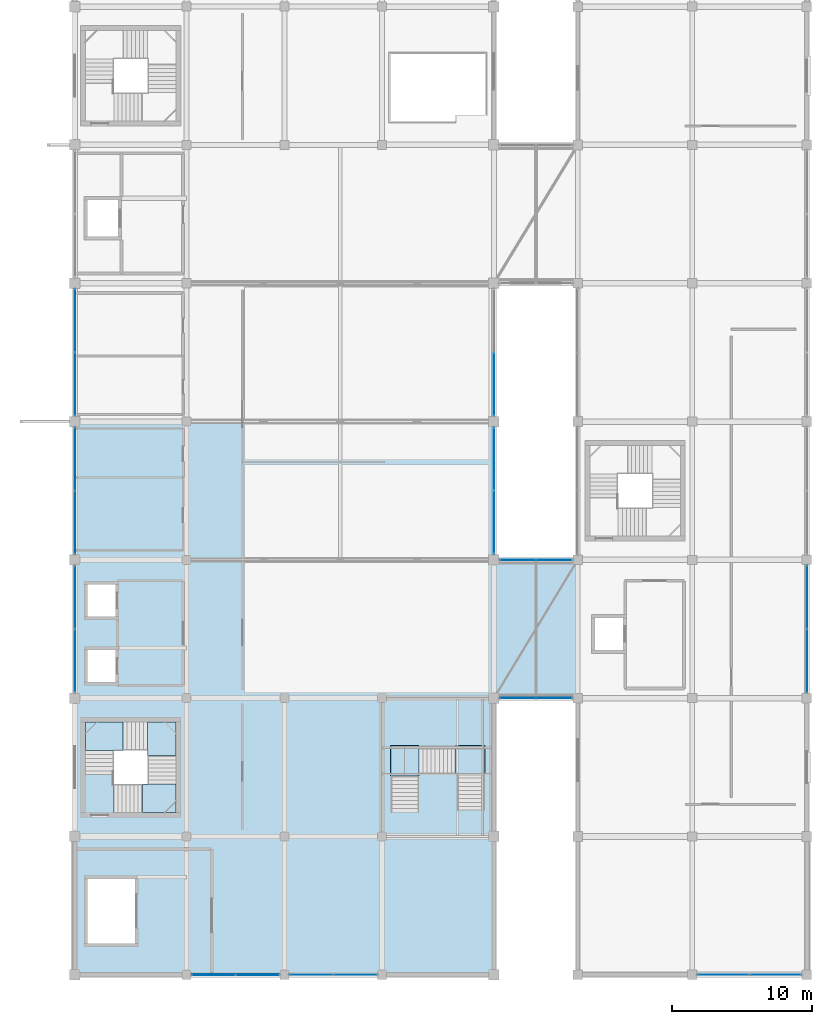
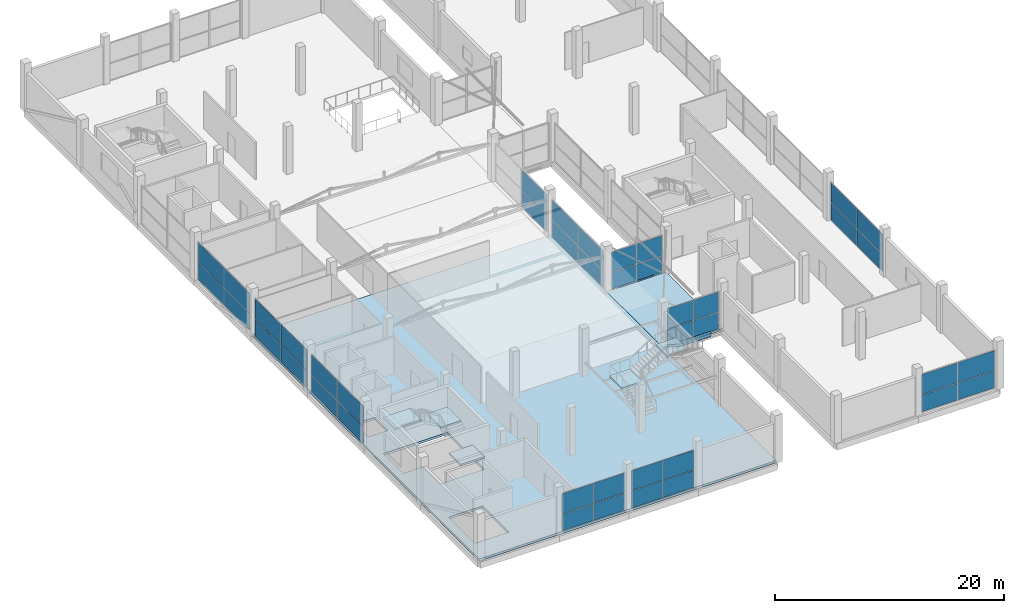
# One storey, part 49 of 67: 44 plates, 7 slabs, 13 elements without a shape of their own.
"""IFC4 building model written with IfcOpenShell, lengths in metres."""

from ifc_helpers import new_model, si_unit, direction, frame, origin, origin_2d, place, context, subcontext, project, spatial, polyline, rectangle, outline, extrude, material, layer, layer_set, type_object, element, aggregate, save


model = new_model("IFC4")

# Units and contexts
model_context = context("Model", 3, precision=1e-05, world=origin(), true_north=direction((0.0, 1.0)))
body_context = subcontext(model_context, "Body", "Model", "MODEL_VIEW")
ifc_project = project(units=[si_unit("LENGTHUNIT", "METRE"), si_unit("AREAUNIT", "SQUARE_METRE"), si_unit("VOLUMEUNIT", "CUBIC_METRE"), si_unit("PLANEANGLEUNIT", "RADIAN"), si_unit("MASSUNIT", "GRAM", prefix="KILO")], contexts=[model_context])

# Site, building, storey
site_placement = place(None, origin())
site = spatial("IfcSite", under=ifc_project, at=site_placement, CompositionType="ELEMENT")
building_placement = place(site_placement, origin())
building = spatial("IfcBuilding", under=site, at=building_placement, Name="Sillaruma Civic Art Gallery", CompositionType="ELEMENT")
storey_placement = place(building_placement, frame((0.0, 0.0, 46.919921875)))
storey = spatial("IfcBuildingStorey", under=building, at=storey_placement, Name="L09", CompositionType="ELEMENT", Elevation=46.919921875)

# Plates
ifc_material_1 = material(Name="Anodised Zinc-Aluminium Alloy", Category="aluminium")
ifc_layer_1 = layer(ifc_material_1, 0.044921875, Name="Anodised Zinc-Aluminium Alloy")
ifc_layer_set_1 = layer_set([ifc_layer_1], Name="Anodised Zinc-Aluminium Alloy")
plate_type_1 = type_object("IfcPlateType", Name="PLT-FAS-01", PredefinedType="USERDEFINED", material=ifc_layer_set_1)
for number, where, z_axis, x_axis, name in (
    (1, (95.0, 39.60009765625, -0.469970703125), (0.0, 0.0, 1.0), (1.0, 0.0, 0.0), "Sky-Bridge Fascia Cassette (BRG-S:L09:S)"),
    (2, (95.0, 49.5, -0.469970703125), (0.0, 0.0, 1.0), (1.0, 0.0, 0.0), "Sky-Bridge Fascia Cassette (BRG-S:L09:N)"),
):
    element("IfcPlate", number, at=place(storey_placement, frame(where, z_axis=z_axis, x_axis=x_axis)), inside=storey, type_object=plate_type_1, Name=name, ObjectType="FASCIA CASSETTE", PredefinedType="USERDEFINED", context=body_context, shape_type="SweptSolid", body=[
        extrude(rectangle(XDim=3.60009765625, YDim=0.044921875, at=origin_2d()), origin(), (0.0, 0.0, 1.0), 0.580078125),
    ])

# Curtain wall, plates
ifc_material_2 = material(Name="Thermally Broken Extruded Aluminium 6063-T6", Category="aluminium")
ifc_layer_2 = layer(ifc_material_2, 0.159912109375, Name="Thermally Broken Extruded Aluminium 6063-T6")
ifc_layer_set_2 = layer_set([ifc_layer_2], Name="Thermally Broken Extruded Aluminium 6063-T6")
curtain_wall_type_1 = type_object("IfcCurtainWallType", Name="CW-UNI-62", PredefinedType="NOTDEFINED", material=ifc_layer_set_2)
curtain_wall_1_placement = place(storey_placement, origin())
curtain_wall_1 = element("IfcCurtainWall", 3, at=curtain_wall_1_placement, inside=storey, type_object=curtain_wall_type_1, Name="Unitised Curtain Wall CW-62 (CW-L09-WBW-4)", PredefinedType="NOTDEFINED")
ifc_material_3 = material(Name="Low-E UV-Filtered Laminated Insulating Glass", Category="glass")
ifc_layer_3 = layer(ifc_material_3, 0.030029296875, Name="Low-E UV-Filtered Laminated Insulating Glass")
ifc_layer_set_3 = layer_set([ifc_layer_3], Name="Low-E UV-Filtered Laminated Insulating Glass")
plate_type_2 = type_object("IfcPlateType", Name="PNL-GLZ-30", PredefinedType="CURTAIN_PANEL", material=ifc_layer_set_3)
plate_1_placement = place(storey_placement, frame((62.0, 52.1787109375, 0.06005859375), z_axis=(0.0, 0.0, 1.0), x_axis=(0.0, 1.0, 0.0)))
plate_1 = element("IfcPlate", 4, at=plate_1_placement, type_object=plate_type_2, Name="CW-62 panel 1.1", PredefinedType="CURTAIN_PANEL", context=body_context, shape_type="SweptSolid", body=[
    extrude(rectangle(XDim=4.4775390625, YDim=0.030029296875, at=origin_2d()), origin(), (0.0, 0.0, 1.0), 1.7958984375),
])
plate_2_placement = place(storey_placement, frame((62.0, 52.1787109375, 1.916015625), z_axis=(0.0, 0.0, 1.0), x_axis=(0.0, 1.0, 0.0)))
plate_2 = element("IfcPlate", 5, at=plate_2_placement, type_object=plate_type_2, Name="CW-62 panel 1.2", PredefinedType="CURTAIN_PANEL", context=body_context, shape_type="SweptSolid", body=[
    extrude(rectangle(XDim=4.4775390625, YDim=0.030029296875, at=origin_2d()), origin(), (0.0, 0.0, 1.0), 2.1240234375),
])
plate_3_placement = place(storey_placement, frame((62.0, 56.72119140625, 0.06005859375), z_axis=(0.0, 0.0, 1.0), x_axis=(0.0, 1.0, 0.0)))
plate_3 = element("IfcPlate", 6, at=plate_3_placement, type_object=plate_type_2, Name="CW-62 panel 2.1", PredefinedType="CURTAIN_PANEL", context=body_context, shape_type="SweptSolid", body=[
    extrude(rectangle(XDim=4.4775390625, YDim=0.030029296875, at=origin_2d()), origin(), (0.0, 0.0, 1.0), 1.7958984375),
])
plate_4_placement = place(storey_placement, frame((62.0, 56.72119140625, 1.916015625), z_axis=(0.0, 0.0, 1.0), x_axis=(0.0, 1.0, 0.0)))
plate_4 = element("IfcPlate", 7, at=plate_4_placement, type_object=plate_type_2, Name="CW-62 panel 2.2", PredefinedType="CURTAIN_PANEL", context=body_context, shape_type="SweptSolid", body=[
    extrude(rectangle(XDim=4.4775390625, YDim=0.030029296875, at=origin_2d()), origin(), (0.0, 0.0, 1.0), 2.1240234375),
])
aggregate(curtain_wall_1, [plate_1, plate_2, plate_3, plate_4])

ifc_layer_4 = layer(ifc_material_2, 0.159912109375, Name="Thermally Broken Extruded Aluminium 6063-T6")
ifc_layer_set_4 = layer_set([ifc_layer_4], Name="Thermally Broken Extruded Aluminium 6063-T6")
curtain_wall_type_2 = type_object("IfcCurtainWallType", Name="CW-UNI-68", PredefinedType="NOTDEFINED", material=ifc_layer_set_4)
curtain_wall_2_placement = place(storey_placement, origin())
curtain_wall_2 = element("IfcCurtainWall", 8, at=curtain_wall_2_placement, inside=storey, type_object=curtain_wall_type_2, Name="Unitised Curtain Wall CW-68 (CW-L09-WBS-3)", PredefinedType="NOTDEFINED")
plate_5_placement = place(storey_placement, frame((78.9287109375, 19.800048828125, 0.06005859375), z_axis=(0.0, 0.0, 1.0), x_axis=(1.0, 0.0, 0.0)))
plate_5 = element("IfcPlate", 9, at=plate_5_placement, type_object=plate_type_2, Name="CW-68 panel 1.1", PredefinedType="CURTAIN_PANEL", context=body_context, shape_type="SweptSolid", body=[
    extrude(rectangle(XDim=3.077392578125, YDim=0.030029296875, at=origin_2d()), origin(), (0.0, 0.0, 1.0), 1.7958984375),
])
plate_6_placement = place(storey_placement, frame((78.9287109375, 19.800048828125, 1.916015625), z_axis=(0.0, 0.0, 1.0), x_axis=(1.0, 0.0, 0.0)))
plate_6 = element("IfcPlate", 10, at=plate_6_placement, type_object=plate_type_2, Name="CW-68 panel 1.2", PredefinedType="CURTAIN_PANEL", context=body_context, shape_type="SweptSolid", body=[
    extrude(rectangle(XDim=3.077392578125, YDim=0.030029296875, at=origin_2d()), origin(), (0.0, 0.0, 1.0), 2.1240234375),
])
plate_7_placement = place(storey_placement, frame((82.0712890625, 19.800048828125, 0.06005859375), z_axis=(0.0, 0.0, 1.0), x_axis=(1.0, 0.0, 0.0)))
plate_7 = element("IfcPlate", 11, at=plate_7_placement, type_object=plate_type_2, Name="CW-68 panel 2.1", PredefinedType="CURTAIN_PANEL", context=body_context, shape_type="SweptSolid", body=[
    extrude(rectangle(XDim=3.077392578125, YDim=0.030029296875, at=origin_2d()), origin(), (0.0, 0.0, 1.0), 1.7958984375),
])
plate_8_placement = place(storey_placement, frame((82.0712890625, 19.800048828125, 1.916015625), z_axis=(0.0, 0.0, 1.0), x_axis=(1.0, 0.0, 0.0)))
plate_8 = element("IfcPlate", 12, at=plate_8_placement, type_object=plate_type_2, Name="CW-68 panel 2.2", PredefinedType="CURTAIN_PANEL", context=body_context, shape_type="SweptSolid", body=[
    extrude(rectangle(XDim=3.077392578125, YDim=0.030029296875, at=origin_2d()), origin(), (0.0, 0.0, 1.0), 2.1240234375),
])
aggregate(curtain_wall_2, [plate_5, plate_6, plate_7, plate_8])

ifc_layer_5 = layer(ifc_material_2, 0.159912109375, Name="Thermally Broken Extruded Aluminium 6063-T6")
ifc_layer_set_5 = layer_set([ifc_layer_5], Name="Thermally Broken Extruded Aluminium 6063-T6")
curtain_wall_type_3 = type_object("IfcCurtainWallType", Name="CW-UNI-74", PredefinedType="NOTDEFINED", material=ifc_layer_set_5)
curtain_wall_3_placement = place(storey_placement, origin())
curtain_wall_3 = element("IfcCurtainWall", 13, at=curtain_wall_3_placement, inside=storey, type_object=curtain_wall_type_3, Name="Unitised Curtain Wall CW-74 (CW-L09-EBS-2)", PredefinedType="NOTDEFINED")
plate_9_placement = place(storey_placement, frame((108.422607421875, 19.800048828125, 0.06005859375), z_axis=(0.0, 0.0, 1.0), x_axis=(1.0, 0.0, 0.0)))
plate_9 = element("IfcPlate", 14, at=plate_9_placement, type_object=plate_type_2, Name="CW-74 panel 1.1", PredefinedType="CURTAIN_PANEL", context=body_context, shape_type="SweptSolid", body=[
    extrude(rectangle(XDim=3.6650390625, YDim=0.030029296875, at=origin_2d()), origin(), (0.0, 0.0, 1.0), 1.7958984375),
])
plate_10_placement = place(storey_placement, frame((108.422607421875, 19.800048828125, 1.916015625), z_axis=(0.0, 0.0, 1.0), x_axis=(1.0, 0.0, 0.0)))
plate_10 = element("IfcPlate", 15, at=plate_10_placement, type_object=plate_type_2, Name="CW-74 panel 1.2", PredefinedType="CURTAIN_PANEL", context=body_context, shape_type="SweptSolid", body=[
    extrude(rectangle(XDim=3.6650390625, YDim=0.030029296875, at=origin_2d()), origin(), (0.0, 0.0, 1.0), 2.1240234375),
])
plate_11_placement = place(storey_placement, frame((112.152587890625, 19.800048828125, 0.06005859375), z_axis=(0.0, 0.0, 1.0), x_axis=(1.0, 0.0, 0.0)))
plate_11 = element("IfcPlate", 16, at=plate_11_placement, type_object=plate_type_2, Name="CW-74 panel 2.1", PredefinedType="CURTAIN_PANEL", context=body_context, shape_type="SweptSolid", body=[
    extrude(rectangle(XDim=3.6650390625, YDim=0.030029296875, at=origin_2d()), origin(), (0.0, 0.0, 1.0), 1.7958984375),
])
plate_12_placement = place(storey_placement, frame((112.152587890625, 19.800048828125, 1.916015625), z_axis=(0.0, 0.0, 1.0), x_axis=(1.0, 0.0, 0.0)))
plate_12 = element("IfcPlate", 17, at=plate_12_placement, type_object=plate_type_2, Name="CW-74 panel 2.2", PredefinedType="CURTAIN_PANEL", context=body_context, shape_type="SweptSolid", body=[
    extrude(rectangle(XDim=3.6650390625, YDim=0.030029296875, at=origin_2d()), origin(), (0.0, 0.0, 1.0), 2.1240234375),
])
aggregate(curtain_wall_3, [plate_9, plate_10, plate_11, plate_12])

ifc_layer_6 = layer(ifc_material_2, 0.159912109375, Name="Thermally Broken Extruded Aluminium 6063-T6")
ifc_layer_set_6 = layer_set([ifc_layer_6], Name="Thermally Broken Extruded Aluminium 6063-T6")
curtain_wall_type_4 = type_object("IfcCurtainWallType", Name="CW-UNI-65", PredefinedType="NOTDEFINED", material=ifc_layer_set_6)
curtain_wall_4_placement = place(storey_placement, origin())
curtain_wall_4 = element("IfcCurtainWall", 18, at=curtain_wall_4_placement, inside=storey, type_object=curtain_wall_type_4, Name="Unitised Curtain Wall CW-65 (CW-L09-WBE-5)", PredefinedType="NOTDEFINED")
ifc_layer_7 = layer(ifc_material_3, 0.031982421875, Name="Low-E UV-Filtered Laminated Insulating Glass")
ifc_layer_set_7 = layer_set([ifc_layer_7], Name="Low-E UV-Filtered Laminated Insulating Glass")
plate_type_3 = type_object("IfcPlateType", Name="PNL-GLZ-32", PredefinedType="CURTAIN_PANEL", material=ifc_layer_set_7)
plate_13_placement = place(storey_placement, frame((92.0, 62.078857421875, 0.06494140625), z_axis=(0.0, 0.0, 1.0), x_axis=(0.0, 1.0, 0.0)))
plate_13 = element("IfcPlate", 19, at=plate_13_placement, type_object=plate_type_3, Name="CW-65 panel 1.1", PredefinedType="CURTAIN_PANEL", context=body_context, shape_type="SweptSolid", body=[
    extrude(rectangle(XDim=4.4775390625, YDim=0.031982421875, at=origin_2d()), origin(), (0.0, 0.0, 1.0), 1.78857421875),
])
plate_14_placement = place(storey_placement, frame((92.0, 62.078857421875, 1.91845703125), z_axis=(0.0, 0.0, 1.0), x_axis=(0.0, 1.0, 0.0)))
plate_14 = element("IfcPlate", 20, at=plate_14_placement, type_object=plate_type_3, Name="CW-65 panel 1.2", PredefinedType="CURTAIN_PANEL", context=body_context, shape_type="SweptSolid", body=[
    extrude(rectangle(XDim=4.4775390625, YDim=0.031982421875, at=origin_2d()), origin(), (0.0, 0.0, 1.0), 2.116455078125),
])
aggregate(curtain_wall_4, [plate_13, plate_14])

ifc_layer_8 = layer(ifc_material_2, 0.159912109375, Name="Thermally Broken Extruded Aluminium 6063-T6")
ifc_layer_set_8 = layer_set([ifc_layer_8], Name="Thermally Broken Extruded Aluminium 6063-T6")
curtain_wall_type_5 = type_object("IfcCurtainWallType", Name="CW-UNI-69", PredefinedType="NOTDEFINED", material=ifc_layer_set_8)
curtain_wall_5_placement = place(storey_placement, origin())
curtain_wall_5 = element("IfcCurtainWall", 21, at=curtain_wall_5_placement, inside=storey, type_object=curtain_wall_type_5, Name="Unitised Curtain Wall CW-69 (CW-L09-EBE-3)", PredefinedType="NOTDEFINED")
plate_15_placement = place(storey_placement, frame((114.39990234375, 42.266357421875, 0.06494140625), z_axis=(0.0, 0.0, 1.0), x_axis=(0.0, 1.0, 0.0)))
plate_15 = element("IfcPlate", 22, at=plate_15_placement, type_object=plate_type_3, Name="CW-69 panel 1.1", PredefinedType="CURTAIN_PANEL", context=body_context, shape_type="SweptSolid", body=[
    extrude(rectangle(XDim=4.50244140625, YDim=0.031982421875, at=origin_2d()), origin(), (0.0, 0.0, 1.0), 1.78857421875),
])
plate_16_placement = place(storey_placement, frame((114.39990234375, 42.266357421875, 1.91845703125), z_axis=(0.0, 0.0, 1.0), x_axis=(0.0, 1.0, 0.0)))
plate_16 = element("IfcPlate", 23, at=plate_16_placement, type_object=plate_type_3, Name="CW-69 panel 1.2", PredefinedType="CURTAIN_PANEL", context=body_context, shape_type="SweptSolid", body=[
    extrude(rectangle(XDim=4.50244140625, YDim=0.031982421875, at=origin_2d()), origin(), (0.0, 0.0, 1.0), 2.116455078125),
])
plate_17_placement = place(storey_placement, frame((114.39990234375, 46.833740234375, 0.06494140625), z_axis=(0.0, 0.0, 1.0), x_axis=(0.0, 1.0, 0.0)))
plate_17 = element("IfcPlate", 24, at=plate_17_placement, type_object=plate_type_3, Name="CW-69 panel 2.1", PredefinedType="CURTAIN_PANEL", context=body_context, shape_type="SweptSolid", body=[
    extrude(rectangle(XDim=4.50244140625, YDim=0.031982421875, at=origin_2d()), origin(), (0.0, 0.0, 1.0), 1.78857421875),
])
plate_18_placement = place(storey_placement, frame((114.39990234375, 46.833740234375, 1.91845703125), z_axis=(0.0, 0.0, 1.0), x_axis=(0.0, 1.0, 0.0)))
plate_18 = element("IfcPlate", 25, at=plate_18_placement, type_object=plate_type_3, Name="CW-69 panel 2.2", PredefinedType="CURTAIN_PANEL", context=body_context, shape_type="SweptSolid", body=[
    extrude(rectangle(XDim=4.50244140625, YDim=0.031982421875, at=origin_2d()), origin(), (0.0, 0.0, 1.0), 2.116455078125),
])
aggregate(curtain_wall_5, [plate_15, plate_16, plate_17, plate_18])

# Curtain wall, plate
ifc_layer_9 = layer(ifc_material_2, 0.159912109375, Name="Thermally Broken Extruded Aluminium 6063-T6")
ifc_layer_set_9 = layer_set([ifc_layer_9], Name="Thermally Broken Extruded Aluminium 6063-T6")
curtain_wall_type_6 = type_object("IfcCurtainWallType", Name="CW-UNI-75", PredefinedType="NOTDEFINED", material=ifc_layer_set_9)
curtain_wall_6_placement = place(storey_placement, origin())
curtain_wall_6 = element("IfcCurtainWall", 26, at=curtain_wall_6_placement, inside=storey, type_object=curtain_wall_type_6, Name="Unitised Curtain Wall CW-75 (CW-BRG-S-L09-S)", PredefinedType="NOTDEFINED")
plate_19_placement = place(storey_placement, frame((93.7099609375, 39.60009765625, 0.06494140625), z_axis=(0.0, 0.0, 1.0), x_axis=(1.0, 0.0, 0.0)))
plate_19 = element("IfcPlate", 27, at=plate_19_placement, type_object=plate_type_3, Name="CW-75 panel 1.1", PredefinedType="CURTAIN_PANEL", context=body_context, shape_type="SweptSolid", body=[
    extrude(rectangle(XDim=2.5400390625, YDim=0.031982421875, at=origin_2d()), origin(), (0.0, 0.0, 1.0), 1.78857421875),
])

curtain_wall_7_placement = place(storey_placement, origin())
curtain_wall_7 = element("IfcCurtainWall", 28, at=curtain_wall_7_placement, inside=storey, type_object=curtain_wall_type_6, Name="Unitised Curtain Wall CW-75 (CW-BRG-S-L09-N)", PredefinedType="NOTDEFINED")
plate_20_placement = place(storey_placement, frame((93.7099609375, 49.5, 0.06494140625), z_axis=(0.0, 0.0, 1.0), x_axis=(1.0, 0.0, 0.0)))
plate_20 = element("IfcPlate", 29, at=plate_20_placement, type_object=plate_type_3, Name="CW-75 panel 1.1", PredefinedType="CURTAIN_PANEL", context=body_context, shape_type="SweptSolid", body=[
    extrude(rectangle(XDim=2.5400390625, YDim=0.031982421875, at=origin_2d()), origin(), (0.0, 0.0, 1.0), 1.78857421875),
])

# Curtain wall, plates
ifc_layer_10 = layer(ifc_material_2, 0.139892578125, Name="Thermally Broken Extruded Aluminium 6063-T6")
ifc_layer_set_10 = layer_set([ifc_layer_10], Name="Thermally Broken Extruded Aluminium 6063-T6")
curtain_wall_type_7 = type_object("IfcCurtainWallType", Name="CW-UNI-64", PredefinedType="NOTDEFINED", material=ifc_layer_set_10)
curtain_wall_8_placement = place(storey_placement, origin())
curtain_wall_8 = element("IfcCurtainWall", 30, at=curtain_wall_8_placement, inside=storey, type_object=curtain_wall_type_7, Name="Unitised Curtain Wall CW-64 (CW-L09-WBW-5)", PredefinedType="NOTDEFINED")
ifc_layer_11 = layer(ifc_material_3, 0.033935546875, Name="Low-E UV-Filtered Laminated Insulating Glass")
ifc_layer_set_11 = layer_set([ifc_layer_11], Name="Low-E UV-Filtered Laminated Insulating Glass")
plate_type_4 = type_object("IfcPlateType", Name="PNL-GLZ-34", PredefinedType="CURTAIN_PANEL", material=ifc_layer_set_11)
plate_21_placement = place(storey_placement, frame((62.0, 62.077392578125, 0.06494140625), z_axis=(0.0, 0.0, 1.0), x_axis=(0.0, 1.0, 0.0)))
plate_21 = element("IfcPlate", 31, at=plate_21_placement, type_object=plate_type_4, Name="CW-64 panel 1.1", PredefinedType="CURTAIN_PANEL", context=body_context, shape_type="SweptSolid", body=[
    extrude(rectangle(XDim=4.485107421875, YDim=0.033935546875, at=origin_2d()), origin(), (0.0, 0.0, 1.0), 1.78857421875),
])
plate_22_placement = place(storey_placement, frame((62.0, 62.077392578125, 1.91845703125), z_axis=(0.0, 0.0, 1.0), x_axis=(0.0, 1.0, 0.0)))
plate_22 = element("IfcPlate", 32, at=plate_22_placement, type_object=plate_type_4, Name="CW-64 panel 1.2", PredefinedType="CURTAIN_PANEL", context=body_context, shape_type="SweptSolid", body=[
    extrude(rectangle(XDim=4.485107421875, YDim=0.033935546875, at=origin_2d()), origin(), (0.0, 0.0, 1.0), 2.116455078125),
])
plate_23_placement = place(storey_placement, frame((62.0, 66.62255859375, 0.06494140625), z_axis=(0.0, 0.0, 1.0), x_axis=(0.0, 1.0, 0.0)))
plate_23 = element("IfcPlate", 33, at=plate_23_placement, type_object=plate_type_4, Name="CW-64 panel 2.1", PredefinedType="CURTAIN_PANEL", context=body_context, shape_type="SweptSolid", body=[
    extrude(rectangle(XDim=4.485107421875, YDim=0.033935546875, at=origin_2d()), origin(), (0.0, 0.0, 1.0), 1.78857421875),
])
plate_24_placement = place(storey_placement, frame((62.0, 66.62255859375, 1.91845703125), z_axis=(0.0, 0.0, 1.0), x_axis=(0.0, 1.0, 0.0)))
plate_24 = element("IfcPlate", 34, at=plate_24_placement, type_object=plate_type_4, Name="CW-64 panel 2.2", PredefinedType="CURTAIN_PANEL", context=body_context, shape_type="SweptSolid", body=[
    extrude(rectangle(XDim=4.485107421875, YDim=0.033935546875, at=origin_2d()), origin(), (0.0, 0.0, 1.0), 2.116455078125),
])
aggregate(curtain_wall_8, [plate_21, plate_22, plate_23, plate_24])

ifc_layer_12 = layer(ifc_material_2, 0.179931640625, Name="Thermally Broken Extruded Aluminium 6063-T6")
ifc_layer_set_12 = layer_set([ifc_layer_12], Name="Thermally Broken Extruded Aluminium 6063-T6")
curtain_wall_type_8 = type_object("IfcCurtainWallType", Name="CW-UNI-63", PredefinedType="NOTDEFINED", material=ifc_layer_set_12)
curtain_wall_9_placement = place(storey_placement, origin())
curtain_wall_9 = element("IfcCurtainWall", 35, at=curtain_wall_9_placement, inside=storey, type_object=curtain_wall_type_8, Name="Unitised Curtain Wall CW-63 (CW-L09-WBE-4)", PredefinedType="NOTDEFINED")
ifc_layer_13 = layer(ifc_material_3, 0.035888671875, Name="Low-E UV-Filtered Laminated Insulating Glass")
ifc_layer_set_13 = layer_set([ifc_layer_13], Name="Low-E UV-Filtered Laminated Insulating Glass")
plate_type_5 = type_object("IfcPlateType", Name="PNL-GLZ-36", PredefinedType="CURTAIN_PANEL", material=ifc_layer_set_13)
plate_25_placement = place(storey_placement, frame((92.0, 52.179931640625, 0.0703125), z_axis=(0.0, 0.0, 1.0), x_axis=(0.0, 1.0, 0.0)))
plate_25 = element("IfcPlate", 36, at=plate_25_placement, type_object=plate_type_5, Name="CW-63 panel 1.1", PredefinedType="CURTAIN_PANEL", context=body_context, shape_type="SweptSolid", body=[
    extrude(rectangle(XDim=4.469970703125, YDim=0.035888671875, at=origin_2d()), origin(), (0.0, 0.0, 1.0), 1.781005859375),
])
plate_26_placement = place(storey_placement, frame((92.0, 52.179931640625, 1.921142578125), z_axis=(0.0, 0.0, 1.0), x_axis=(0.0, 1.0, 0.0)))
plate_26 = element("IfcPlate", 37, at=plate_26_placement, type_object=plate_type_5, Name="CW-63 panel 1.2", PredefinedType="CURTAIN_PANEL", context=body_context, shape_type="SweptSolid", body=[
    extrude(rectangle(XDim=4.469970703125, YDim=0.035888671875, at=origin_2d()), origin(), (0.0, 0.0, 1.0), 2.10888671875),
])
plate_27_placement = place(storey_placement, frame((92.0, 56.719970703125, 0.0703125), z_axis=(0.0, 0.0, 1.0), x_axis=(0.0, 1.0, 0.0)))
plate_27 = element("IfcPlate", 38, at=plate_27_placement, type_object=plate_type_5, Name="CW-63 panel 2.1", PredefinedType="CURTAIN_PANEL", context=body_context, shape_type="SweptSolid", body=[
    extrude(rectangle(XDim=4.469970703125, YDim=0.035888671875, at=origin_2d()), origin(), (0.0, 0.0, 1.0), 1.781005859375),
])
plate_28_placement = place(storey_placement, frame((92.0, 56.719970703125, 1.921142578125), z_axis=(0.0, 0.0, 1.0), x_axis=(0.0, 1.0, 0.0)))
plate_28 = element("IfcPlate", 39, at=plate_28_placement, type_object=plate_type_5, Name="CW-63 panel 2.2", PredefinedType="CURTAIN_PANEL", context=body_context, shape_type="SweptSolid", body=[
    extrude(rectangle(XDim=4.469970703125, YDim=0.035888671875, at=origin_2d()), origin(), (0.0, 0.0, 1.0), 2.10888671875),
])
aggregate(curtain_wall_9, [plate_25, plate_26, plate_27, plate_28])

ifc_layer_14 = layer(ifc_material_2, 0.179931640625, Name="Thermally Broken Extruded Aluminium 6063-T6")
ifc_layer_set_14 = layer_set([ifc_layer_14], Name="Thermally Broken Extruded Aluminium 6063-T6")
curtain_wall_type_9 = type_object("IfcCurtainWallType", Name="CW-UNI-61", PredefinedType="NOTDEFINED", material=ifc_layer_set_14)
curtain_wall_10_placement = place(storey_placement, origin())
curtain_wall_10 = element("IfcCurtainWall", 40, at=curtain_wall_10_placement, inside=storey, type_object=curtain_wall_type_9, Name="Unitised Curtain Wall CW-61 (CW-L09-WBW-3)", PredefinedType="NOTDEFINED")
ifc_layer_15 = layer(ifc_material_3, 0.0400390625, Name="Low-E UV-Filtered Laminated Insulating Glass")
ifc_layer_set_15 = layer_set([ifc_layer_15], Name="Low-E UV-Filtered Laminated Insulating Glass")
plate_type_6 = type_object("IfcPlateType", Name="PNL-GLZ-40", PredefinedType="CURTAIN_PANEL", material=ifc_layer_set_15)
plate_29_placement = place(storey_placement, frame((62.0, 42.280029296875, 0.06494140625), z_axis=(0.0, 0.0, 1.0), x_axis=(0.0, 1.0, 0.0)))
plate_29 = element("IfcPlate", 41, at=plate_29_placement, type_object=plate_type_6, Name="CW-61 panel 1.1", PredefinedType="CURTAIN_PANEL", context=body_context, shape_type="SweptSolid", body=[
    extrude(rectangle(XDim=4.469970703125, YDim=0.0400390625, at=origin_2d()), origin(), (0.0, 0.0, 1.0), 1.78857421875),
])
plate_30_placement = place(storey_placement, frame((62.0, 42.280029296875, 1.91845703125), z_axis=(0.0, 0.0, 1.0), x_axis=(0.0, 1.0, 0.0)))
plate_30 = element("IfcPlate", 42, at=plate_30_placement, type_object=plate_type_6, Name="CW-61 panel 1.2", PredefinedType="CURTAIN_PANEL", context=body_context, shape_type="SweptSolid", body=[
    extrude(rectangle(XDim=4.469970703125, YDim=0.0400390625, at=origin_2d()), origin(), (0.0, 0.0, 1.0), 2.116455078125),
])
plate_31_placement = place(storey_placement, frame((62.0, 46.820068359375, 0.06494140625), z_axis=(0.0, 0.0, 1.0), x_axis=(0.0, 1.0, 0.0)))
plate_31 = element("IfcPlate", 43, at=plate_31_placement, type_object=plate_type_6, Name="CW-61 panel 2.1", PredefinedType="CURTAIN_PANEL", context=body_context, shape_type="SweptSolid", body=[
    extrude(rectangle(XDim=4.469970703125, YDim=0.0400390625, at=origin_2d()), origin(), (0.0, 0.0, 1.0), 1.78857421875),
])
plate_32_placement = place(storey_placement, frame((62.0, 46.820068359375, 1.91845703125), z_axis=(0.0, 0.0, 1.0), x_axis=(0.0, 1.0, 0.0)))
plate_32 = element("IfcPlate", 44, at=plate_32_placement, type_object=plate_type_6, Name="CW-61 panel 2.2", PredefinedType="CURTAIN_PANEL", context=body_context, shape_type="SweptSolid", body=[
    extrude(rectangle(XDim=4.469970703125, YDim=0.0400390625, at=origin_2d()), origin(), (0.0, 0.0, 1.0), 2.116455078125),
])
aggregate(curtain_wall_10, [plate_29, plate_30, plate_31, plate_32])

ifc_layer_16 = layer(ifc_material_2, 0.179931640625, Name="Thermally Broken Extruded Aluminium 6063-T6")
ifc_layer_set_16 = layer_set([ifc_layer_16], Name="Thermally Broken Extruded Aluminium 6063-T6")
curtain_wall_type_10 = type_object("IfcCurtainWallType", Name="CW-UNI-67", PredefinedType="NOTDEFINED", material=ifc_layer_set_16)
curtain_wall_11_placement = place(storey_placement, origin())
curtain_wall_11 = element("IfcCurtainWall", 45, at=curtain_wall_11_placement, inside=storey, type_object=curtain_wall_type_10, Name="Unitised Curtain Wall CW-67 (CW-L09-WBS-2)", PredefinedType="NOTDEFINED")
plate_33_placement = place(storey_placement, frame((71.929931640625, 19.800048828125, 0.06494140625), z_axis=(0.0, 0.0, 1.0), x_axis=(1.0, 0.0, 0.0)))
plate_33 = element("IfcPlate", 46, at=plate_33_placement, type_object=plate_type_6, Name="CW-67 panel 1.1", PredefinedType="CURTAIN_PANEL", context=body_context, shape_type="SweptSolid", body=[
    extrude(rectangle(XDim=3.070068359375, YDim=0.0400390625, at=origin_2d()), origin(), (0.0, 0.0, 1.0), 1.78857421875),
])
plate_34_placement = place(storey_placement, frame((71.929931640625, 19.800048828125, 1.91845703125), z_axis=(0.0, 0.0, 1.0), x_axis=(1.0, 0.0, 0.0)))
plate_34 = element("IfcPlate", 47, at=plate_34_placement, type_object=plate_type_6, Name="CW-67 panel 1.2", PredefinedType="CURTAIN_PANEL", context=body_context, shape_type="SweptSolid", body=[
    extrude(rectangle(XDim=3.070068359375, YDim=0.0400390625, at=origin_2d()), origin(), (0.0, 0.0, 1.0), 2.116455078125),
])
plate_35_placement = place(storey_placement, frame((75.070068359375, 19.800048828125, 0.06494140625), z_axis=(0.0, 0.0, 1.0), x_axis=(1.0, 0.0, 0.0)))
plate_35 = element("IfcPlate", 48, at=plate_35_placement, type_object=plate_type_6, Name="CW-67 panel 2.1", PredefinedType="CURTAIN_PANEL", context=body_context, shape_type="SweptSolid", body=[
    extrude(rectangle(XDim=3.070068359375, YDim=0.0400390625, at=origin_2d()), origin(), (0.0, 0.0, 1.0), 1.78857421875),
])
plate_36_placement = place(storey_placement, frame((75.070068359375, 19.800048828125, 1.91845703125), z_axis=(0.0, 0.0, 1.0), x_axis=(1.0, 0.0, 0.0)))
plate_36 = element("IfcPlate", 49, at=plate_36_placement, type_object=plate_type_6, Name="CW-67 panel 2.2", PredefinedType="CURTAIN_PANEL", context=body_context, shape_type="SweptSolid", body=[
    extrude(rectangle(XDim=3.070068359375, YDim=0.0400390625, at=origin_2d()), origin(), (0.0, 0.0, 1.0), 2.116455078125),
])
aggregate(curtain_wall_11, [plate_33, plate_34, plate_35, plate_36])

# Plate
ifc_layer_17 = layer(ifc_material_1, 0.031982421875, Name="Anodised Zinc-Aluminium Alloy")
ifc_layer_set_17 = layer_set([ifc_layer_17], Name="Anodised Zinc-Aluminium Alloy")
plate_type_7 = type_object("IfcPlateType", Name="PNL-SPD-32", PredefinedType="CURTAIN_PANEL", material=ifc_layer_set_17)
plate_37_placement = place(storey_placement, frame((93.7099609375, 39.60009765625, 1.91845703125), z_axis=(0.0, 0.0, 1.0), x_axis=(1.0, 0.0, 0.0)))
plate_37 = element("IfcPlate", 50, at=plate_37_placement, type_object=plate_type_7, Name="CW-75 panel 1.2", PredefinedType="CURTAIN_PANEL", context=body_context, shape_type="SweptSolid", body=[
    extrude(rectangle(XDim=2.5400390625, YDim=0.031982421875, at=origin_2d()), origin(), (0.0, 0.0, 1.0), 2.116455078125),
])

plate_38_placement = place(storey_placement, frame((96.31494140625, 39.60009765625, 0.06494140625), z_axis=(0.0, 0.0, 1.0), x_axis=(1.0, 0.0, 0.0)))
plate_38 = element("IfcPlate", 51, at=plate_38_placement, type_object=plate_type_7, Name="CW-75 panel 2.1", PredefinedType="CURTAIN_PANEL", context=body_context, shape_type="SweptSolid", body=[
    extrude(rectangle(XDim=2.5400390625, YDim=0.031982421875, at=origin_2d()), origin(), (0.0, 0.0, 1.0), 1.78857421875),
])

plate_39_placement = place(storey_placement, frame((96.31494140625, 39.60009765625, 1.91845703125), z_axis=(0.0, 0.0, 1.0), x_axis=(1.0, 0.0, 0.0)))
plate_39 = element("IfcPlate", 52, at=plate_39_placement, type_object=plate_type_7, Name="CW-75 panel 2.2", PredefinedType="CURTAIN_PANEL", context=body_context, shape_type="SweptSolid", body=[
    extrude(rectangle(XDim=2.5400390625, YDim=0.031982421875, at=origin_2d()), origin(), (0.0, 0.0, 1.0), 2.116455078125),
])

aggregate(curtain_wall_6, [plate_19, plate_37, plate_38, plate_39])

plate_40_placement = place(storey_placement, frame((93.7099609375, 49.5, 1.91845703125), z_axis=(0.0, 0.0, 1.0), x_axis=(1.0, 0.0, 0.0)))
plate_40 = element("IfcPlate", 53, at=plate_40_placement, type_object=plate_type_7, Name="CW-75 panel 1.2", PredefinedType="CURTAIN_PANEL", context=body_context, shape_type="SweptSolid", body=[
    extrude(rectangle(XDim=2.5400390625, YDim=0.031982421875, at=origin_2d()), origin(), (0.0, 0.0, 1.0), 2.116455078125),
])

plate_41_placement = place(storey_placement, frame((96.31494140625, 49.5, 0.06494140625), z_axis=(0.0, 0.0, 1.0), x_axis=(1.0, 0.0, 0.0)))
plate_41 = element("IfcPlate", 54, at=plate_41_placement, type_object=plate_type_7, Name="CW-75 panel 2.1", PredefinedType="CURTAIN_PANEL", context=body_context, shape_type="SweptSolid", body=[
    extrude(rectangle(XDim=2.5400390625, YDim=0.031982421875, at=origin_2d()), origin(), (0.0, 0.0, 1.0), 1.78857421875),
])

plate_42_placement = place(storey_placement, frame((96.31494140625, 49.5, 1.91845703125), z_axis=(0.0, 0.0, 1.0), x_axis=(1.0, 0.0, 0.0)))
plate_42 = element("IfcPlate", 55, at=plate_42_placement, type_object=plate_type_7, Name="CW-75 panel 2.2", PredefinedType="CURTAIN_PANEL", context=body_context, shape_type="SweptSolid", body=[
    extrude(rectangle(XDim=2.5400390625, YDim=0.031982421875, at=origin_2d()), origin(), (0.0, 0.0, 1.0), 2.116455078125),
])

aggregate(curtain_wall_7, [plate_20, plate_40, plate_41, plate_42])

# Slabs
ifc_material_4 = material(Name="Concrete H35 (35 MPa)", Category="concrete")
ifc_layer_18 = layer(ifc_material_4, 0.2099609375, Name="Concrete H35 (35 MPa)")
ifc_layer_set_18 = layer_set([ifc_layer_18], Name="Concrete H35 (35 MPa)")
slab_type_1 = type_object("IfcSlabType", Name="SLB-FLR-210", PredefinedType="FLOOR", material=ifc_layer_set_18)
slab_1_placement = place(storey_placement, frame((0.0, 0.0, -0.2099609375)))
element("IfcSlab", 56, at=slab_1_placement, inside=storey, type_object=slab_type_1, Name="Floor Slab SF-210 (SLB-L09-BRGS)", PredefinedType="FLOOR", context=body_context, shape_type="SweptSolid", body=[
    extrude(outline(polyline([(92.0, 39.60009765625), (98.0, 39.60009765625), (98.0, 49.5), (92.0, 49.5), (92.0, 39.60009765625)])), origin(), (0.0, 0.0, 1.0), 0.2099609375),
])
ifc_layer_19 = layer(ifc_material_4, 0.25, Name="Concrete H35 (35 MPa)")
ifc_layer_set_19 = layer_set([ifc_layer_19], Name="Concrete H35 (35 MPa)")
slab_type_2 = type_object("IfcSlabType", Name="SLB-FLR-250", PredefinedType="FLOOR", material=ifc_layer_set_19)
slab_2_placement = place(storey_placement, frame((0.0, 0.0, -0.25)))
element("IfcSlab", 57, at=slab_2_placement, inside=storey, type_object=slab_type_2, Name="Floor Slab SF-250 (SLB-L09-WESTS)", PredefinedType="FLOOR", context=body_context, shape_type="SweptSolid", body=[
    extrude(outline(polyline([(62.0, 19.800048828125), (92.0, 19.800048828125), (92.0, 59.39990234375), (62.0, 59.39990234375), (62.0, 19.800048828125)]), holes=[polyline([(64.81494140625, 31.409912109375), (69.239990234375, 31.409912109375), (69.239990234375, 37.889892578125), (62.760009765625, 37.889892578125), (62.760009765625, 34.4150390625), (64.81494140625, 34.4150390625), (64.81494140625, 31.409912109375)]), polyline([(62.89990234375, 40.75), (64.89990234375, 40.75), (64.89990234375, 43.050048828125), (62.89990234375, 43.050048828125), (62.89990234375, 40.75)]), polyline([(62.89990234375, 45.449951171875), (64.89990234375, 45.449951171875), (64.89990234375, 47.75), (62.89990234375, 47.75), (62.89990234375, 45.449951171875)]), polyline([(62.89990234375, 22.050048828125), (66.300048828125, 22.050048828125), (66.300048828125, 26.64990234375), (62.89990234375, 26.64990234375), (62.89990234375, 22.050048828125)])]), origin(), (0.0, 0.0, 1.0), 0.25),
])

# Stair, slabs
stair_type_1 = type_object("IfcStairType", Name="STR-3F-30", PredefinedType="TWO_QUARTER_TURN_STAIR", material=ifc_material_4)
stair_1_placement = place(storey_placement, origin())
stair_1 = element("IfcStair", 58, at=stair_1_placement, inside=storey, type_object=stair_type_1, Name="Monumental Gallery Feature Stair ST-G06 (L09)", PredefinedType="TWO_QUARTER_TURN_STAIR")
ifc_layer_20 = layer(ifc_material_4, 0.18505859375, Name="Concrete H35 (35 MPa)")
ifc_layer_set_20 = layer_set([ifc_layer_20], Name="Concrete H35 (35 MPa)")
slab_type_3 = type_object("IfcSlabType", Name="SLB-LND-185", PredefinedType="LANDING", material=ifc_layer_set_20)
slab_3_placement = place(storey_placement, frame((0.0, 0.0, 1.51513671875)))
slab_3 = element("IfcSlab", 59, at=slab_3_placement, type_object=slab_type_3, Name="ST-G06 landing 1", PredefinedType="LANDING", context=body_context, shape_type="SweptSolid", body=[
    extrude(outline(polyline([(84.60009765625, 34.010009765625), (86.639892578125, 34.010009765625), (86.639892578125, 36.199951171875), (84.60009765625, 36.199951171875), (84.60009765625, 34.010009765625)])), origin(), (0.0, 0.0, 1.0), 0.18505859375),
])
slab_4_placement = place(storey_placement, frame((0.0, 0.0, 3.215087890625)))
slab_4 = element("IfcSlab", 60, at=slab_4_placement, type_object=slab_type_3, Name="ST-G06 landing 2", PredefinedType="LANDING", context=body_context, shape_type="SweptSolid", body=[
    extrude(outline(polyline([(89.25, 34.159912109375), (91.360107421875, 34.159912109375), (91.360107421875, 36.199951171875), (89.25, 36.199951171875), (89.25, 34.159912109375)])), origin(), (0.0, 0.0, 1.0), 0.18505859375),
])
aggregate(stair_1, [slab_3, slab_4])

stair_type_2 = type_object("IfcStairType", Name="STR-4F-30", PredefinedType="USERDEFINED", material=ifc_material_4)
stair_2_placement = place(storey_placement, origin())
stair_2 = element("IfcStair", 61, at=stair_2_placement, inside=storey, type_object=stair_type_2, Name="Protected Exit Stair ST-03 (West Bar South) (L09)", ObjectType="THREE_RETURN_STAIR", PredefinedType="USERDEFINED")
ifc_layer_21 = layer(ifc_material_4, 0.199951171875, Name="Concrete H35 (35 MPa)")
ifc_layer_set_21 = layer_set([ifc_layer_21], Name="Concrete H35 (35 MPa)")
slab_type_4 = type_object("IfcSlabType", Name="SLB-LND-200", PredefinedType="LANDING", material=ifc_layer_set_21)
slab_5_placement = place(storey_placement, frame((0.0, 0.0, 1.16015625)))
slab_5 = element("IfcSlab", 62, at=slab_5_placement, type_object=slab_type_4, Name="ST-03 landing 1", PredefinedType="LANDING", context=body_context, shape_type="SweptSolid", body=[
    extrude(outline(polyline([(66.830078125, 31.409912109375), (69.239990234375, 31.409912109375), (69.239990234375, 33.449951171875), (66.830078125, 33.449951171875), (66.830078125, 31.409912109375)])), origin(), (0.0, 0.0, 1.0), 0.199951171875),
])
slab_6_placement = place(storey_placement, frame((0.0, 0.0, 2.52001953125)))
slab_6 = element("IfcSlab", 63, at=slab_6_placement, type_object=slab_type_4, Name="ST-03 landing 2", PredefinedType="LANDING", context=body_context, shape_type="SweptSolid", body=[
    extrude(outline(polyline([(67.199951171875, 35.47998046875), (69.239990234375, 35.47998046875), (69.239990234375, 37.889892578125), (67.199951171875, 37.889892578125), (67.199951171875, 35.47998046875)])), origin(), (0.0, 0.0, 1.0), 0.199951171875),
])
slab_7_placement = place(storey_placement, frame((0.0, 0.0, 3.7099609375)))
slab_7 = element("IfcSlab", 64, at=slab_7_placement, type_object=slab_type_4, Name="ST-03 landing 3", PredefinedType="LANDING", context=body_context, shape_type="SweptSolid", body=[
    extrude(outline(polyline([(62.760009765625, 35.85009765625), (65.4599609375, 35.85009765625), (65.4599609375, 37.889892578125), (62.760009765625, 37.889892578125), (62.760009765625, 35.85009765625)])), origin(), (0.0, 0.0, 1.0), 0.2001953125),
])
aggregate(stair_2, [slab_5, slab_6, slab_7])

save(model, "model.ifc")
